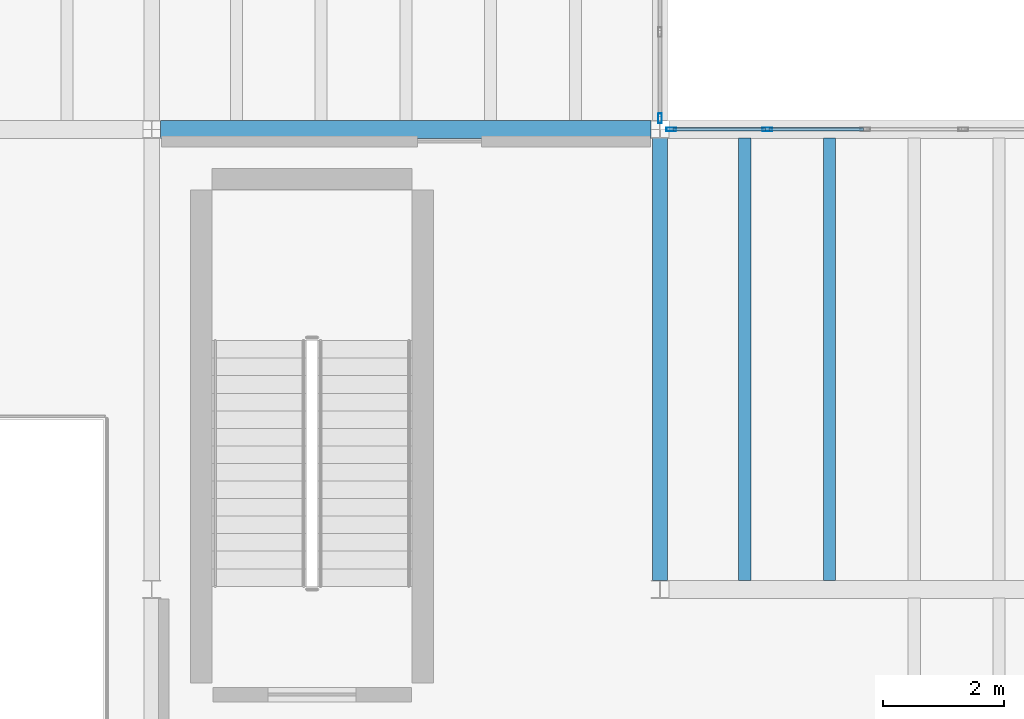
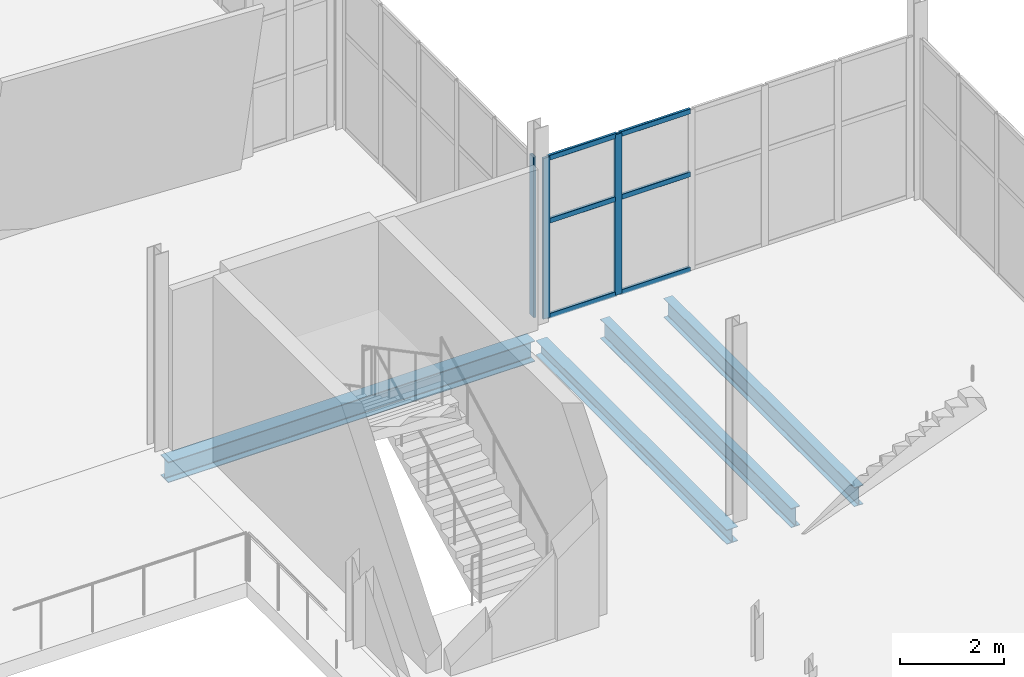
# One storey, part 28 of 172: 9 members, 4 beams, 2 elements without a shape of their own.
"""IFC4 building model written with IfcOpenShell, lengths in metres."""

from ifc_helpers import new_model, si_unit, direction, frame, origin, origin_2d, place, context, subcontext, project, spatial, hollow_rectangle, i_section, extrude, material, material_profile, profile_set, type_object, element, aggregate, save


model = new_model("IFC4")

# Units and contexts
model_context = context("Model", 3, precision=1e-05, world=origin(), true_north=direction((0.0, 1.0)))
body_context = subcontext(model_context, "Body", "Model", "MODEL_VIEW")
ifc_project = project(units=[si_unit("LENGTHUNIT", "METRE"), si_unit("AREAUNIT", "SQUARE_METRE"), si_unit("VOLUMEUNIT", "CUBIC_METRE"), si_unit("PLANEANGLEUNIT", "RADIAN"), si_unit("MASSUNIT", "GRAM", prefix="KILO")], contexts=[model_context])

# Site, building, storey
site_placement = place(None, origin())
site = spatial("IfcSite", under=ifc_project, at=site_placement, CompositionType="ELEMENT")
building_placement = place(site_placement, origin())
building = spatial("IfcBuilding", under=site, at=building_placement, Name="Shengluoqiao Park Theatre", CompositionType="ELEMENT")
storey_placement = place(building_placement, frame((0.0, 0.0, 5.39990234375)))
storey = spatial("IfcBuildingStorey", under=building, at=storey_placement, Name="L01", CompositionType="ELEMENT", Elevation=5.39990234375)

# Curtain wall, members
ifc_material_1 = material(Name="Aluminium 6063-T6", Category="aluminium")
curtain_wall_type = type_object("IfcCurtainWallType", Name="ENV-CW-COURT", PredefinedType="NOTDEFINED", material=ifc_material_1)
curtain_wall_1_placement = place(storey_placement, origin())
curtain_wall_1 = element("IfcCurtainWall", 1, at=curtain_wall_1_placement, inside=storey, type_object=curtain_wall_type, Name="L01 Curtain Wall CWX-L01-0158", PredefinedType="NOTDEFINED")
ifc_material_profile_1 = material_profile(ifc_material_1, hollow_rectangle(XDim=0.06005859375, YDim=0.159912109375, WallThickness=0.00390625, InnerFilletRadius=0.00390625, OuterFilletRadius=0.008056640625, at=origin_2d()), Name="ALU MULLION 160x60x4")
ifc_profile_set_1 = profile_set([ifc_material_profile_1], Name="Aluminium 6063-T6")
member_type_1 = type_object("IfcMemberType", Name="ENV-MUL-160", PredefinedType="MULLION", material=ifc_profile_set_1)
member_1_placement = place(storey_placement, frame((36.18408203125, 22.800048828125, 0.0), z_axis=(0.0, 0.0, 1.0), x_axis=(0.0, 1.0, 0.0)))
member_1 = element("IfcMember", 2, at=member_1_placement, type_object=member_type_1, Name="CW-05 mullion 1", PredefinedType="MULLION", context=body_context, shape_type="SweptSolid", body=[
    extrude(hollow_rectangle(XDim=0.06005859375, YDim=0.159912109375, WallThickness=0.00390625, InnerFilletRadius=0.00390625, OuterFilletRadius=0.008056640625, at=origin_2d()), origin(), (0.0, 0.0, 1.0), 3.756103515625),
])
member_2_placement = place(storey_placement, frame((37.7724609375, 22.800048828125, 0.0), z_axis=(0.0, 0.0, 1.0), x_axis=(0.0, 1.0, 0.0)))
member_2 = element("IfcMember", 3, at=member_2_placement, type_object=member_type_1, Name="CW-05 mullion 2", PredefinedType="MULLION", context=body_context, shape_type="SweptSolid", body=[
    extrude(hollow_rectangle(XDim=0.06005859375, YDim=0.159912109375, WallThickness=0.00390625, InnerFilletRadius=0.00390625, OuterFilletRadius=0.008056640625, at=origin_2d()), origin(), (0.0, 0.0, 1.0), 3.756103515625),
])

# Curtain wall, member
curtain_wall_2_placement = place(storey_placement, origin())
curtain_wall_2 = element("IfcCurtainWall", 4, at=curtain_wall_2_placement, inside=storey, type_object=curtain_wall_type, Name="L01 Curtain Wall CWX-L01-0160", PredefinedType="NOTDEFINED")
member_3_placement = place(storey_placement, frame((36.0, 22.98388671875, 0.0), z_axis=(0.0, 0.0, 1.0), x_axis=(-1.0, 0.0, 0.0)))
member_3 = element("IfcMember", 5, at=member_3_placement, type_object=member_type_1, Name="CW-05 mullion 1", PredefinedType="MULLION", context=body_context, shape_type="SweptSolid", body=[
    extrude(hollow_rectangle(XDim=0.06005859375, YDim=0.159912109375, WallThickness=0.00390625, InnerFilletRadius=0.00390625, OuterFilletRadius=0.008056640625, at=origin_2d()), origin(), (0.0, 0.0, 1.0), 3.75),
])
aggregate(curtain_wall_2, [member_3])

# Member
ifc_material_profile_2 = material_profile(ifc_material_1, hollow_rectangle(XDim=0.06005859375, YDim=0.1201171875, WallThickness=0.00390625, InnerFilletRadius=0.00390625, OuterFilletRadius=0.008056640625, at=origin_2d()), Name="ALU TRANSOM 120x60x4")
ifc_profile_set_2 = profile_set([ifc_material_profile_2], Name="Aluminium 6063-T6")
member_type_2 = type_object("IfcMemberType", Name="ENV-TRN-120", PredefinedType="USERDEFINED", material=ifc_profile_set_2)
member_4_placement = place(storey_placement, frame((36.214111328125, 22.800048828125, 0.030029296875), z_axis=(1.0, 0.0, 0.0), x_axis=(0.0, 1.0, 0.0)))
member_4 = element("IfcMember", 6, at=member_4_placement, type_object=member_type_2, Name="CW-05 transom 1.1", ObjectType="TRANSOM", PredefinedType="USERDEFINED", context=body_context, shape_type="SweptSolid", body=[
    extrude(hollow_rectangle(XDim=0.06005859375, YDim=0.1201171875, WallThickness=0.00390625, InnerFilletRadius=0.00390625, OuterFilletRadius=0.008056640625, at=origin_2d()), origin(), (0.0, 0.0, 1.0), 1.5283203125),
])

member_5_placement = place(storey_placement, frame((36.214111328125, 22.800048828125, 2.254150390625), z_axis=(1.0, 0.0, 0.0), x_axis=(0.0, 1.0, 0.0)))
member_5 = element("IfcMember", 7, at=member_5_placement, type_object=member_type_2, Name="CW-05 transom 1.2", ObjectType="TRANSOM", PredefinedType="USERDEFINED", context=body_context, shape_type="SweptSolid", body=[
    extrude(hollow_rectangle(XDim=0.06005859375, YDim=0.1201171875, WallThickness=0.00390625, InnerFilletRadius=0.00390625, OuterFilletRadius=0.008056640625, at=origin_2d()), origin(), (0.0, 0.0, 1.0), 1.5283203125),
])

member_6_placement = place(storey_placement, frame((36.214111328125, 22.800048828125, 3.72607421875), z_axis=(1.0, 0.0, 0.0), x_axis=(0.0, 1.0, 0.0)))
member_6 = element("IfcMember", 8, at=member_6_placement, type_object=member_type_2, Name="CW-05 transom 1.3", ObjectType="TRANSOM", PredefinedType="USERDEFINED", context=body_context, shape_type="SweptSolid", body=[
    extrude(hollow_rectangle(XDim=0.06005859375, YDim=0.1201171875, WallThickness=0.00390625, InnerFilletRadius=0.00390625, OuterFilletRadius=0.008056640625, at=origin_2d()), origin(), (0.0, 0.0, 1.0), 1.5283203125),
])

member_7_placement = place(storey_placement, frame((37.802490234375, 22.800048828125, 0.030029296875), z_axis=(1.0, 0.0, 0.0), x_axis=(0.0, 1.0, 0.0)))
member_7 = element("IfcMember", 9, at=member_7_placement, type_object=member_type_2, Name="CW-05 transom 2.1", ObjectType="TRANSOM", PredefinedType="USERDEFINED", context=body_context, shape_type="SweptSolid", body=[
    extrude(hollow_rectangle(XDim=0.06005859375, YDim=0.1201171875, WallThickness=0.00390625, InnerFilletRadius=0.00390625, OuterFilletRadius=0.008056640625, at=origin_2d()), origin(), (0.0, 0.0, 1.0), 1.558349609375),
])

member_8_placement = place(storey_placement, frame((37.802490234375, 22.800048828125, 2.254150390625), z_axis=(1.0, 0.0, 0.0), x_axis=(0.0, 1.0, 0.0)))
member_8 = element("IfcMember", 10, at=member_8_placement, type_object=member_type_2, Name="CW-05 transom 2.2", ObjectType="TRANSOM", PredefinedType="USERDEFINED", context=body_context, shape_type="SweptSolid", body=[
    extrude(hollow_rectangle(XDim=0.06005859375, YDim=0.1201171875, WallThickness=0.00390625, InnerFilletRadius=0.00390625, OuterFilletRadius=0.008056640625, at=origin_2d()), origin(), (0.0, 0.0, 1.0), 1.558349609375),
])

member_9_placement = place(storey_placement, frame((37.802490234375, 22.800048828125, 3.72607421875), z_axis=(1.0, 0.0, 0.0), x_axis=(0.0, 1.0, 0.0)))
member_9 = element("IfcMember", 11, at=member_9_placement, type_object=member_type_2, Name="CW-05 transom 2.3", ObjectType="TRANSOM", PredefinedType="USERDEFINED", context=body_context, shape_type="SweptSolid", body=[
    extrude(hollow_rectangle(XDim=0.06005859375, YDim=0.1201171875, WallThickness=0.00390625, InnerFilletRadius=0.00390625, OuterFilletRadius=0.008056640625, at=origin_2d()), origin(), (0.0, 0.0, 1.0), 1.558349609375),
])

aggregate(curtain_wall_1, [member_1, member_2, member_4, member_5, member_6, member_7, member_8, member_9])

# Beams
ifc_material_2 = material(Name="Steel Q355", Category="steel")
ifc_material_profile_3 = material_profile(ifc_material_2, i_section(OverallWidth=0.25, OverallDepth=0.340087890625, WebThickness=0.009033203125, FlangeThickness=0.013916015625, FilletRadius=0.01611328125, at=origin_2d()), Name="HM 340x250x9x14")
ifc_profile_set_3 = profile_set([ifc_material_profile_3], Name="Steel Q355")
beam_type_1 = type_object("IfcBeamType", Name="STR-BM-G-HM340", PredefinedType="BEAM", material=ifc_profile_set_3)
beam_1_placement = place(storey_placement, frame((36.0, 15.343994140625, -0.510009765625), z_axis=(0.0, 1.0, 0.0), x_axis=(-1.0, 0.0, 0.0)))
element("IfcBeam", 12, at=beam_1_placement, inside=storey, type_object=beam_type_1, Name="L01 Transverse Girder 00432", PredefinedType="BEAM", context=body_context, shape_type="SweptSolid", body=[
    extrude(i_section(OverallWidth=0.25, OverallDepth=0.340087890625, WebThickness=0.009033203125, FlangeThickness=0.013916015625, FilletRadius=0.01611328125, at=origin_2d()), origin(), (0.0, 0.0, 1.0), 7.31201171875),
])
ifc_material_profile_4 = material_profile(ifc_material_2, i_section(OverallWidth=0.300048828125, OverallDepth=0.48193359375, WebThickness=0.010986328125, FlangeThickness=0.014892578125, FilletRadius=0.02197265625, at=origin_2d()), Name="HM 482x300x11x15")
ifc_profile_set_4 = profile_set([ifc_material_profile_4], Name="Steel Q355")
beam_type_2 = type_object("IfcBeamType", Name="STR-BM-G-HM482", PredefinedType="BEAM", material=ifc_profile_set_4)
beam_2_placement = place(storey_placement, frame((27.74658203125, 22.800048828125, -0.580810546875), z_axis=(1.0, 0.0, 0.0), x_axis=(0.0, 1.0, 0.0)))
element("IfcBeam", 13, at=beam_2_placement, inside=storey, type_object=beam_type_2, Name="L01 Primary Girder 00430", PredefinedType="BEAM", context=body_context, shape_type="SweptSolid", body=[
    extrude(i_section(OverallWidth=0.300048828125, OverallDepth=0.48193359375, WebThickness=0.010986328125, FlangeThickness=0.014892578125, FilletRadius=0.02197265625, at=origin_2d()), origin(), (0.0, 0.0, 1.0), 8.10693359375),
])
ifc_material_profile_5 = material_profile(ifc_material_2, i_section(OverallWidth=0.199951171875, OverallDepth=0.449951171875, WebThickness=0.009033203125, FlangeThickness=0.013916015625, FilletRadius=0.01611328125, at=origin_2d()), Name="HN 450x200x9x14")
ifc_profile_set_5 = profile_set([ifc_material_profile_5], Name="Steel Q355")
beam_type_3 = type_object("IfcBeamType", Name="STR-BM-J-HN450", PredefinedType="JOIST", material=ifc_profile_set_5)
for number, where, z_axis, x_axis, name in (
    (14, (37.39990234375, 15.344970703125, -0.56494140625), (0.0, 1.0, 0.0), (-1.0, 0.0, 0.0), "L01 Composite Joist 00439"),
    (15, (38.800048828125, 15.344970703125, -0.56494140625), (0.0, 1.0, 0.0), (-1.0, 0.0, 0.0), "L01 Composite Joist 00440"),
):
    element("IfcBeam", number, at=place(storey_placement, frame(where, z_axis=z_axis, x_axis=x_axis)), inside=storey, type_object=beam_type_3, Name=name, PredefinedType="JOIST", context=body_context, shape_type="SweptSolid", body=[
        extrude(i_section(OverallWidth=0.199951171875, OverallDepth=0.449951171875, WebThickness=0.009033203125, FlangeThickness=0.013916015625, FilletRadius=0.01611328125, at=origin_2d()), origin(), (0.0, 0.0, 1.0), 7.31005859375),
    ])

save(model, "model.ifc")
